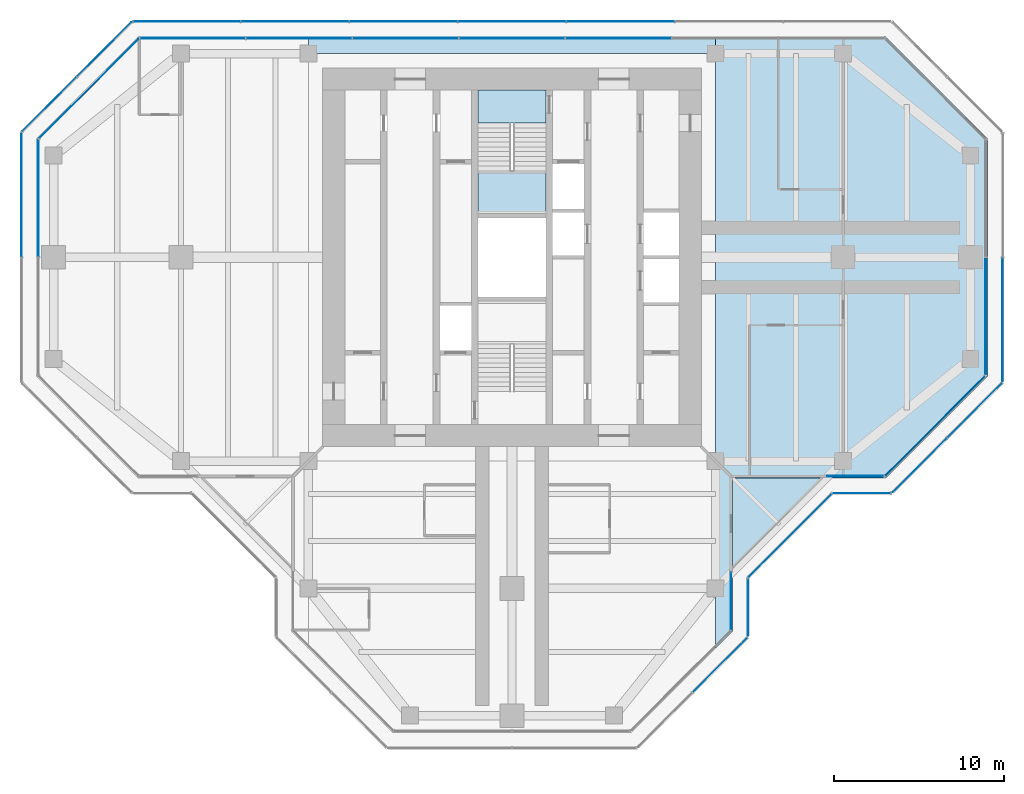
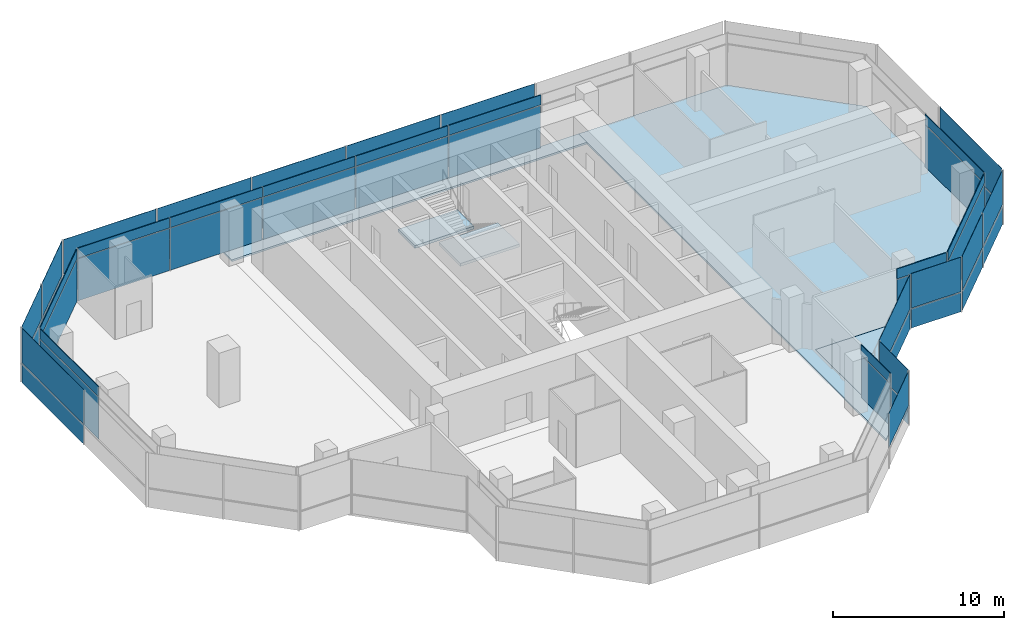
# One storey, part 10 of 15: 51 plates, 5 slabs, 17 elements without a shape of their own.
"""IFC4 building model written with IfcOpenShell, lengths in metres."""

from ifc_helpers import new_model, si_unit, direction, frame, origin, origin_2d, place, context, subcontext, project, spatial, polyline, rectangle, outline, extrude, material, layer, layer_set, type_object, element, aggregate, save


model = new_model("IFC4")

# Units and contexts
model_context = context("Model", 3, precision=1e-05, world=origin(), true_north=direction((0.0, 1.0)))
body_context = subcontext(model_context, "Body", "Model", "MODEL_VIEW")
ifc_project = project(units=[si_unit("LENGTHUNIT", "METRE"), si_unit("AREAUNIT", "SQUARE_METRE"), si_unit("VOLUMEUNIT", "CUBIC_METRE"), si_unit("PLANEANGLEUNIT", "RADIAN"), si_unit("MASSUNIT", "GRAM", prefix="KILO")], contexts=[model_context])

# Site, building, storey
site_placement = place(None, origin())
site = spatial("IfcSite", under=ifc_project, at=site_placement, CompositionType="ELEMENT")
building_placement = place(site_placement, origin())
building = spatial("IfcBuilding", under=site, at=building_placement, Name="Mizan Broadcast Tower", CompositionType="ELEMENT")
storey_placement = place(building_placement, frame((0.0, 0.0, 275.10009765625)))
storey = spatial("IfcBuildingStorey", under=building, at=storey_placement, Name="L65", CompositionType="ELEMENT", Elevation=275.10009765625)

# Slabs
ifc_material_1 = material(Name="Concrete C32/40", Category="concrete")
ifc_layer_1 = layer(ifc_material_1, 0.1298828125)
ifc_layer_set_1 = layer_set([ifc_layer_1], Name="Concrete C32/40")
slab_type_1 = type_object("IfcSlabType", Name="COMPOSITE DECK SLAB 130", PredefinedType="FLOOR", material=ifc_layer_set_1)
slab_1_placement = place(storey_placement, frame((0.0, 0.0, -0.130126953125)))
element("IfcSlab", 1, at=slab_1_placement, inside=storey, type_object=slab_type_1, Name="Floor slab L65 east arm", PredefinedType="FLOOR", context=body_context, shape_type="SweptSolid", body=[
    extrude(outline(polyline([(12.0, -23.0), (13.0, -22.0), (13.0, -13.0), (22.0, -13.0), (28.0, -7.0), (28.0, 7.0), (22.0, 13.0), (13.0, 13.0), (12.0, 13.0), (12.0, -23.0)])), origin(), (0.0, 0.0, 1.0), 0.130126953125),
])
slab_2_placement = place(storey_placement, frame((0.0, 0.0, -0.130126953125)))
element("IfcSlab", 2, at=slab_2_placement, inside=storey, type_object=slab_type_1, Name="Floor slab L65 north arm", PredefinedType="FLOOR", context=body_context, shape_type="SweptSolid", body=[
    extrude(outline(polyline([(12.0, 13.0), (-12.0, 13.0), (-12.0, 12.0), (12.0, 12.0), (12.0, 13.0)])), origin(), (0.0, 0.0, 1.0), 0.130126953125),
])

# Curtain wall, plate
ifc_material_2 = material(Name="Aluminium framed glazing", Category="aluminium")
curtain_wall_type_1 = type_object("IfcCurtainWallType", Name="INNER SKIN TOP ZONE", PredefinedType="USERDEFINED", material=ifc_material_2)
curtain_wall_1_placement = place(storey_placement, origin())
curtain_wall_1 = element("IfcCurtainWall", 3, at=curtain_wall_1_placement, inside=storey, type_object=curtain_wall_type_1, Name="Inner skin top zone L65 E side", ObjectType="INNER SKIN TOP ZONE", PredefinedType="USERDEFINED")
ifc_material_3 = material(Name="Double glazing, clear low-e", Category="glass")
ifc_layer_2 = layer(ifc_material_3, 0.028076171875)
ifc_layer_set_2 = layer_set([ifc_layer_2], Name="Double glazing, clear low-e")
plate_type_1 = type_object("IfcPlateType", Name="INNER SKIN GLAZING UNIT", PredefinedType="CURTAIN_PANEL", material=ifc_layer_set_2)
plate_1_placement = place(storey_placement, frame((20.229248046875, -12.89990234375, 0.0), z_axis=(0.0, 0.0, 1.0), x_axis=(1.0, 0.0, 0.0)))
plate_1 = element("IfcPlate", 4, at=plate_1_placement, type_object=plate_type_1, Name="Inner skin top zone L65 E side panel 1.1", PredefinedType="CURTAIN_PANEL", context=body_context, shape_type="SweptSolid", body=[
    extrude(rectangle(XDim=3.338623046875, YDim=0.028076171875, at=origin_2d()), origin(), (0.0, 0.0, 1.0), 3.0),
])

curtain_wall_2_placement = place(storey_placement, origin())
curtain_wall_2 = element("IfcCurtainWall", 5, at=curtain_wall_2_placement, inside=storey, type_object=curtain_wall_type_1, Name="Inner skin top zone L65 E chamfer", ObjectType="INNER SKIN TOP ZONE", PredefinedType="USERDEFINED")
plate_2_placement = place(storey_placement, frame((24.92919921875, -9.92919921875, 0.0), z_axis=(0.0, 0.0, 1.0), x_axis=(0.707106781187, 0.707106781187, 0.0)))
plate_2 = element("IfcPlate", 6, at=plate_2_placement, type_object=plate_type_1, Name="Inner skin top zone L65 E chamfer panel 1.1", PredefinedType="CURTAIN_PANEL", context=body_context, shape_type="SweptSolid", body=[
    extrude(rectangle(XDim=8.282470703125, YDim=0.028076171875, at=origin_2d()), origin(), (0.0, 0.0, 1.0), 3.0),
])

curtain_wall_3_placement = place(storey_placement, origin())
curtain_wall_3 = element("IfcCurtainWall", 7, at=curtain_wall_3_placement, inside=storey, type_object=curtain_wall_type_1, Name="Inner skin top zone L65 E end", ObjectType="INNER SKIN TOP ZONE", PredefinedType="USERDEFINED")
plate_3_placement = place(storey_placement, frame((27.89990234375, -3.46435546875, 0.0), z_axis=(0.0, 0.0, 1.0), x_axis=(0.0, 1.0, 0.0)))
plate_3 = element("IfcPlate", 8, at=plate_3_placement, type_object=plate_type_1, Name="Inner skin top zone L65 E end panel 1.1", PredefinedType="CURTAIN_PANEL", context=body_context, shape_type="SweptSolid", body=[
    extrude(rectangle(XDim=6.86865234375, YDim=0.028076171875, at=origin_2d()), origin(), (0.0, 0.0, 1.0), 3.0),
])

# Curtain wall, plates
curtain_wall_4_placement = place(storey_placement, origin())
curtain_wall_4 = element("IfcCurtainWall", 9, at=curtain_wall_4_placement, inside=storey, type_object=curtain_wall_type_1, Name="Inner skin top zone L65 N end", ObjectType="INNER SKIN TOP ZONE", PredefinedType="USERDEFINED")
plate_4_placement = place(storey_placement, frame((6.27392578125, 12.89990234375, 0.0), z_axis=(0.0, 0.0, 1.0), x_axis=(-1.0, 0.0, 0.0)))
plate_4 = element("IfcPlate", 10, at=plate_4_placement, type_object=plate_type_1, Name="Inner skin top zone L65 N end panel 3.1", PredefinedType="CURTAIN_PANEL", context=body_context, shape_type="SweptSolid", body=[
    extrude(rectangle(XDim=6.2138671875, YDim=0.028076171875, at=origin_2d()), origin(), (0.0, 0.0, 1.0), 3.0),
])
plate_5_placement = place(storey_placement, frame((0.0, 12.89990234375, 0.0), z_axis=(0.0, 0.0, 1.0), x_axis=(-1.0, 0.0, 0.0)))
plate_5 = element("IfcPlate", 11, at=plate_5_placement, type_object=plate_type_1, Name="Inner skin top zone L65 N end panel 4.1", PredefinedType="CURTAIN_PANEL", context=body_context, shape_type="SweptSolid", body=[
    extrude(rectangle(XDim=6.2138671875, YDim=0.028076171875, at=origin_2d()), origin(), (0.0, 0.0, 1.0), 3.0),
])
plate_6_placement = place(storey_placement, frame((-6.27392578125, 12.89990234375, 0.0), z_axis=(0.0, 0.0, 1.0), x_axis=(-1.0, 0.0, 0.0)))
plate_6 = element("IfcPlate", 12, at=plate_6_placement, type_object=plate_type_1, Name="Inner skin top zone L65 N end panel 5.1", PredefinedType="CURTAIN_PANEL", context=body_context, shape_type="SweptSolid", body=[
    extrude(rectangle(XDim=6.2138671875, YDim=0.028076171875, at=origin_2d()), origin(), (0.0, 0.0, 1.0), 3.0),
])
plate_7_placement = place(storey_placement, frame((-12.5478515625, 12.89990234375, 0.0), z_axis=(0.0, 0.0, 1.0), x_axis=(-1.0, 0.0, 0.0)))
plate_7 = element("IfcPlate", 13, at=plate_7_placement, type_object=plate_type_1, Name="Inner skin top zone L65 N end panel 6.1", PredefinedType="CURTAIN_PANEL", context=body_context, shape_type="SweptSolid", body=[
    extrude(rectangle(XDim=6.2138671875, YDim=0.028076171875, at=origin_2d()), origin(), (0.0, 0.0, 1.0), 3.0),
])
plate_8_placement = place(storey_placement, frame((-18.806640625, 12.89990234375, 0.0), z_axis=(0.0, 0.0, 1.0), x_axis=(-1.0, 0.0, 0.0)))
plate_8 = element("IfcPlate", 14, at=plate_8_placement, type_object=plate_type_1, Name="Inner skin top zone L65 N end panel 7.1", PredefinedType="CURTAIN_PANEL", context=body_context, shape_type="SweptSolid", body=[
    extrude(rectangle(XDim=6.183837890625, YDim=0.028076171875, at=origin_2d()), origin(), (0.0, 0.0, 1.0), 3.0),
])

# Curtain wall, plate
curtain_wall_5_placement = place(storey_placement, origin())
curtain_wall_5 = element("IfcCurtainWall", 15, at=curtain_wall_5_placement, inside=storey, type_object=curtain_wall_type_1, Name="Inner skin top zone L65 W chamfer", ObjectType="INNER SKIN TOP ZONE", PredefinedType="USERDEFINED")
plate_9_placement = place(storey_placement, frame((-24.92919921875, 9.92919921875, 0.0), z_axis=(0.0, 0.0, 1.0), x_axis=(-0.707106781187, -0.707106781187, 0.0)))
plate_9 = element("IfcPlate", 16, at=plate_9_placement, type_object=plate_type_1, Name="Inner skin top zone L65 W chamfer panel 1.1", PredefinedType="CURTAIN_PANEL", context=body_context, shape_type="SweptSolid", body=[
    extrude(rectangle(XDim=8.282470703125, YDim=0.028076171875, at=origin_2d()), origin(), (0.0, 0.0, 1.0), 3.0),
])

curtain_wall_6_placement = place(storey_placement, origin())
curtain_wall_6 = element("IfcCurtainWall", 17, at=curtain_wall_6_placement, inside=storey, type_object=curtain_wall_type_1, Name="Inner skin top zone L65 W end", ObjectType="INNER SKIN TOP ZONE", PredefinedType="USERDEFINED")
plate_10_placement = place(storey_placement, frame((-27.89990234375, 3.46435546875, 0.0), z_axis=(0.0, 0.0, 1.0), x_axis=(0.0, -1.0, 0.0)))
plate_10 = element("IfcPlate", 18, at=plate_10_placement, type_object=plate_type_1, Name="Inner skin top zone L65 W end panel 1.1", PredefinedType="CURTAIN_PANEL", context=body_context, shape_type="SweptSolid", body=[
    extrude(rectangle(XDim=6.86865234375, YDim=0.028076171875, at=origin_2d()), origin(), (0.0, 0.0, 1.0), 3.0),
])

curtain_wall_7_placement = place(storey_placement, origin())
curtain_wall_7 = element("IfcCurtainWall", 19, at=curtain_wall_7_placement, inside=storey, type_object=curtain_wall_type_1, Name="Inner skin top zone L65 S side", ObjectType="INNER SKIN TOP ZONE", PredefinedType="USERDEFINED")
plate_11_placement = place(storey_placement, frame((12.89990234375, -20.229248046875, 0.0), z_axis=(0.0, 0.0, 1.0), x_axis=(0.0, 1.0, 0.0)))
plate_11 = element("IfcPlate", 20, at=plate_11_placement, type_object=plate_type_1, Name="Inner skin top zone L65 S side panel 1.1", PredefinedType="CURTAIN_PANEL", context=body_context, shape_type="SweptSolid", body=[
    extrude(rectangle(XDim=3.338623046875, YDim=0.028076171875, at=origin_2d()), origin(), (0.0, 0.0, 1.0), 3.0),
])

# Plate
ifc_material_4 = material(Name="Insulated aluminium spandrel panel, pale anodised", Category="aluminium")
ifc_layer_3 = layer(ifc_material_4, 0.050048828125)
ifc_layer_set_3 = layer_set([ifc_layer_3], Name="Insulated aluminium spandrel panel, pale anodised")
plate_type_2 = type_object("IfcPlateType", Name="INNER SKIN SPANDREL PANEL", PredefinedType="CURTAIN_PANEL", material=ifc_layer_set_3)
plate_12_placement = place(storey_placement, frame((20.229248046875, -12.89990234375, 3.059814453125), z_axis=(0.0, 0.0, 1.0), x_axis=(1.0, 0.0, 0.0)))
plate_12 = element("IfcPlate", 21, at=plate_12_placement, type_object=plate_type_2, Name="Inner skin top zone L65 E side panel 1.2", PredefinedType="CURTAIN_PANEL", context=body_context, shape_type="SweptSolid", body=[
    extrude(rectangle(XDim=3.338623046875, YDim=0.050048828125, at=origin_2d()), origin(), (0.0, 0.0, 1.0), 0.7099609375),
])

aggregate(curtain_wall_1, [plate_1, plate_12])

plate_13_placement = place(storey_placement, frame((24.92919921875, -9.92919921875, 3.059814453125), z_axis=(0.0, 0.0, 1.0), x_axis=(0.707106781187, 0.707106781187, 0.0)))
plate_13 = element("IfcPlate", 22, at=plate_13_placement, type_object=plate_type_2, Name="Inner skin top zone L65 E chamfer panel 1.2", PredefinedType="CURTAIN_PANEL", context=body_context, shape_type="SweptSolid", body=[
    extrude(rectangle(XDim=8.282470703125, YDim=0.050048828125, at=origin_2d()), origin(), (0.0, 0.0, 1.0), 0.7099609375),
])

aggregate(curtain_wall_2, [plate_2, plate_13])

plate_14_placement = place(storey_placement, frame((27.89990234375, -3.46435546875, 3.059814453125), z_axis=(0.0, 0.0, 1.0), x_axis=(0.0, 1.0, 0.0)))
plate_14 = element("IfcPlate", 23, at=plate_14_placement, type_object=plate_type_2, Name="Inner skin top zone L65 E end panel 1.2", PredefinedType="CURTAIN_PANEL", context=body_context, shape_type="SweptSolid", body=[
    extrude(rectangle(XDim=6.86865234375, YDim=0.050048828125, at=origin_2d()), origin(), (0.0, 0.0, 1.0), 0.7099609375),
])

aggregate(curtain_wall_3, [plate_3, plate_14])

plate_15_placement = place(storey_placement, frame((6.27392578125, 12.89990234375, 3.059814453125), z_axis=(0.0, 0.0, 1.0), x_axis=(-1.0, 0.0, 0.0)))
plate_15 = element("IfcPlate", 24, at=plate_15_placement, type_object=plate_type_2, Name="Inner skin top zone L65 N end panel 3.2", PredefinedType="CURTAIN_PANEL", context=body_context, shape_type="SweptSolid", body=[
    extrude(rectangle(XDim=6.2138671875, YDim=0.050048828125, at=origin_2d()), origin(), (0.0, 0.0, 1.0), 0.7099609375),
])

plate_16_placement = place(storey_placement, frame((0.0, 12.89990234375, 3.059814453125), z_axis=(0.0, 0.0, 1.0), x_axis=(-1.0, 0.0, 0.0)))
plate_16 = element("IfcPlate", 25, at=plate_16_placement, type_object=plate_type_2, Name="Inner skin top zone L65 N end panel 4.2", PredefinedType="CURTAIN_PANEL", context=body_context, shape_type="SweptSolid", body=[
    extrude(rectangle(XDim=6.2138671875, YDim=0.050048828125, at=origin_2d()), origin(), (0.0, 0.0, 1.0), 0.7099609375),
])

plate_17_placement = place(storey_placement, frame((-6.27392578125, 12.89990234375, 3.059814453125), z_axis=(0.0, 0.0, 1.0), x_axis=(-1.0, 0.0, 0.0)))
plate_17 = element("IfcPlate", 26, at=plate_17_placement, type_object=plate_type_2, Name="Inner skin top zone L65 N end panel 5.2", PredefinedType="CURTAIN_PANEL", context=body_context, shape_type="SweptSolid", body=[
    extrude(rectangle(XDim=6.2138671875, YDim=0.050048828125, at=origin_2d()), origin(), (0.0, 0.0, 1.0), 0.7099609375),
])

plate_18_placement = place(storey_placement, frame((-12.5478515625, 12.89990234375, 3.059814453125), z_axis=(0.0, 0.0, 1.0), x_axis=(-1.0, 0.0, 0.0)))
plate_18 = element("IfcPlate", 27, at=plate_18_placement, type_object=plate_type_2, Name="Inner skin top zone L65 N end panel 6.2", PredefinedType="CURTAIN_PANEL", context=body_context, shape_type="SweptSolid", body=[
    extrude(rectangle(XDim=6.2138671875, YDim=0.050048828125, at=origin_2d()), origin(), (0.0, 0.0, 1.0), 0.7099609375),
])

plate_19_placement = place(storey_placement, frame((-18.806640625, 12.89990234375, 3.059814453125), z_axis=(0.0, 0.0, 1.0), x_axis=(-1.0, 0.0, 0.0)))
plate_19 = element("IfcPlate", 28, at=plate_19_placement, type_object=plate_type_2, Name="Inner skin top zone L65 N end panel 7.2", PredefinedType="CURTAIN_PANEL", context=body_context, shape_type="SweptSolid", body=[
    extrude(rectangle(XDim=6.183837890625, YDim=0.050048828125, at=origin_2d()), origin(), (0.0, 0.0, 1.0), 0.7099609375),
])

aggregate(curtain_wall_4, [plate_4, plate_15, plate_5, plate_16, plate_6, plate_17, plate_7, plate_18, plate_8, plate_19])

plate_20_placement = place(storey_placement, frame((-24.92919921875, 9.92919921875, 3.059814453125), z_axis=(0.0, 0.0, 1.0), x_axis=(-0.707106781187, -0.707106781187, 0.0)))
plate_20 = element("IfcPlate", 29, at=plate_20_placement, type_object=plate_type_2, Name="Inner skin top zone L65 W chamfer panel 1.2", PredefinedType="CURTAIN_PANEL", context=body_context, shape_type="SweptSolid", body=[
    extrude(rectangle(XDim=8.282470703125, YDim=0.050048828125, at=origin_2d()), origin(), (0.0, 0.0, 1.0), 0.7099609375),
])

aggregate(curtain_wall_5, [plate_9, plate_20])

plate_21_placement = place(storey_placement, frame((-27.89990234375, 3.46435546875, 3.059814453125), z_axis=(0.0, 0.0, 1.0), x_axis=(0.0, -1.0, 0.0)))
plate_21 = element("IfcPlate", 30, at=plate_21_placement, type_object=plate_type_2, Name="Inner skin top zone L65 W end panel 1.2", PredefinedType="CURTAIN_PANEL", context=body_context, shape_type="SweptSolid", body=[
    extrude(rectangle(XDim=6.86865234375, YDim=0.050048828125, at=origin_2d()), origin(), (0.0, 0.0, 1.0), 0.7099609375),
])

aggregate(curtain_wall_6, [plate_10, plate_21])

plate_22_placement = place(storey_placement, frame((12.89990234375, -20.229248046875, 3.059814453125), z_axis=(0.0, 0.0, 1.0), x_axis=(0.0, 1.0, 0.0)))
plate_22 = element("IfcPlate", 31, at=plate_22_placement, type_object=plate_type_2, Name="Inner skin top zone L65 S side panel 1.2", PredefinedType="CURTAIN_PANEL", context=body_context, shape_type="SweptSolid", body=[
    extrude(rectangle(XDim=3.338623046875, YDim=0.050048828125, at=origin_2d()), origin(), (0.0, 0.0, 1.0), 0.7099609375),
])

aggregate(curtain_wall_7, [plate_11, plate_22])

# Curtain wall, plates
ifc_material_5 = material(Name="Aluminium framed glazing", Category="aluminium")
curtain_wall_type_2 = type_object("IfcCurtainWallType", Name="OUTER SKIN", PredefinedType="USERDEFINED", material=ifc_material_5)
curtain_wall_8_placement = place(storey_placement, origin())
curtain_wall_8 = element("IfcCurtainWall", 32, at=curtain_wall_8_placement, inside=storey, type_object=curtain_wall_type_2, Name="Outer skin L65 S side", ObjectType="OUTER SKIN", PredefinedType="USERDEFINED")
ifc_material_6 = material(Name="Laminated clear glass", Category="glass")
ifc_layer_4 = layer(ifc_material_6, 0.02001953125)
ifc_layer_set_4 = layer_set([ifc_layer_4], Name="Laminated clear glass")
plate_type_3 = type_object("IfcPlateType", Name="OUTER SKIN CLEAR GLASS", PredefinedType="CURTAIN_PANEL", material=ifc_layer_set_4)
plate_23_placement = place(storey_placement, frame((13.89990234375, -20.622802734375, -0.000244140625), z_axis=(0.0, 0.0, 1.0), x_axis=(0.0, 1.0, 0.0)))
plate_23 = element("IfcPlate", 33, at=plate_23_placement, type_object=plate_type_3, Name="Outer skin L65 S side panel 1.1", PredefinedType="CURTAIN_PANEL", context=body_context, shape_type="SweptSolid", body=[
    extrude(rectangle(XDim=3.340087890625, YDim=0.02001953125, at=origin_2d()), origin(), (0.0, 0.0, 1.0), 1.3701171875),
])
plate_24_placement = place(storey_placement, frame((13.89990234375, -20.622802734375, 1.4296875), z_axis=(0.0, 0.0, 1.0), x_axis=(0.0, 1.0, 0.0)))
plate_24 = element("IfcPlate", 34, at=plate_24_placement, type_object=plate_type_3, Name="Outer skin L65 S side panel 1.2", PredefinedType="CURTAIN_PANEL", context=body_context, shape_type="SweptSolid", body=[
    extrude(rectangle(XDim=3.340087890625, YDim=0.02001953125, at=origin_2d()), origin(), (0.0, 0.0, 1.0), 2.469970703125),
])
aggregate(curtain_wall_8, [plate_23, plate_24])

curtain_wall_9_placement = place(storey_placement, origin())
curtain_wall_9 = element("IfcCurtainWall", 35, at=curtain_wall_9_placement, inside=storey, type_object=curtain_wall_type_2, Name="Outer skin L65 E chamfer", ObjectType="OUTER SKIN", PredefinedType="USERDEFINED")
plate_25_placement = place(storey_placement, frame((16.386474609375, -16.386474609375, -0.000244140625), z_axis=(0.0, 0.0, 1.0), x_axis=(0.707106781187, 0.707106781187, 0.0)))
plate_25 = element("IfcPlate", 36, at=plate_25_placement, type_object=plate_type_3, Name="Outer skin L65 E chamfer panel 1.1", PredefinedType="CURTAIN_PANEL", context=body_context, shape_type="SweptSolid", body=[
    extrude(rectangle(XDim=6.87255859375, YDim=0.02001953125, at=origin_2d()), origin(), (0.0, 0.0, 1.0), 1.3701171875),
])
plate_26_placement = place(storey_placement, frame((16.386474609375, -16.386474609375, 1.4296875), z_axis=(0.0, 0.0, 1.0), x_axis=(0.707106781187, 0.707106781187, 0.0)))
plate_26 = element("IfcPlate", 37, at=plate_26_placement, type_object=plate_type_3, Name="Outer skin L65 E chamfer panel 1.2", PredefinedType="CURTAIN_PANEL", context=body_context, shape_type="SweptSolid", body=[
    extrude(rectangle(XDim=6.87255859375, YDim=0.02001953125, at=origin_2d()), origin(), (0.0, 0.0, 1.0), 2.469970703125),
])
aggregate(curtain_wall_9, [plate_25, plate_26])

curtain_wall_10_placement = place(storey_placement, origin())
curtain_wall_10 = element("IfcCurtainWall", 38, at=curtain_wall_10_placement, inside=storey, type_object=curtain_wall_type_2, Name="Outer skin L65 E side", ObjectType="OUTER SKIN", PredefinedType="USERDEFINED")
plate_27_placement = place(storey_placement, frame((20.622802734375, -13.89990234375, -0.000244140625), z_axis=(0.0, 0.0, 1.0), x_axis=(1.0, 0.0, 0.0)))
plate_27 = element("IfcPlate", 39, at=plate_27_placement, type_object=plate_type_3, Name="Outer skin L65 E side panel 1.1", PredefinedType="CURTAIN_PANEL", context=body_context, shape_type="SweptSolid", body=[
    extrude(rectangle(XDim=3.340087890625, YDim=0.02001953125, at=origin_2d()), origin(), (0.0, 0.0, 1.0), 1.3701171875),
])
plate_28_placement = place(storey_placement, frame((20.622802734375, -13.89990234375, 1.4296875), z_axis=(0.0, 0.0, 1.0), x_axis=(1.0, 0.0, 0.0)))
plate_28 = element("IfcPlate", 40, at=plate_28_placement, type_object=plate_type_3, Name="Outer skin L65 E side panel 1.2", PredefinedType="CURTAIN_PANEL", context=body_context, shape_type="SweptSolid", body=[
    extrude(rectangle(XDim=3.340087890625, YDim=0.02001953125, at=origin_2d()), origin(), (0.0, 0.0, 1.0), 2.469970703125),
])
aggregate(curtain_wall_10, [plate_27, plate_28])

curtain_wall_11_placement = place(storey_placement, origin())
curtain_wall_11 = element("IfcCurtainWall", 41, at=curtain_wall_11_placement, inside=storey, type_object=curtain_wall_type_2, Name="Outer skin L65 E chamfer", ObjectType="OUTER SKIN", PredefinedType="USERDEFINED")
plate_29_placement = place(storey_placement, frame((24.018798828125, -12.254150390625, -0.000244140625), z_axis=(0.0, 0.0, 1.0), x_axis=(0.707106781187, 0.707106781187, 0.0)))
plate_29 = element("IfcPlate", 42, at=plate_29_placement, type_object=plate_type_3, Name="Outer skin L65 E chamfer panel 1.1", PredefinedType="CURTAIN_PANEL", context=body_context, shape_type="SweptSolid", body=[
    extrude(rectangle(XDim=4.495361328125, YDim=0.02001953125, at=origin_2d()), origin(), (0.0, 0.0, 1.0), 1.3701171875),
])
plate_30_placement = place(storey_placement, frame((24.018798828125, -12.254150390625, 1.4296875), z_axis=(0.0, 0.0, 1.0), x_axis=(0.707106781187, 0.707106781187, 0.0)))
plate_30 = element("IfcPlate", 43, at=plate_30_placement, type_object=plate_type_3, Name="Outer skin L65 E chamfer panel 1.2", PredefinedType="CURTAIN_PANEL", context=body_context, shape_type="SweptSolid", body=[
    extrude(rectangle(XDim=4.495361328125, YDim=0.02001953125, at=origin_2d()), origin(), (0.0, 0.0, 1.0), 2.469970703125),
])

curtain_wall_12_placement = place(storey_placement, origin())
curtain_wall_12 = element("IfcCurtainWall", 44, at=curtain_wall_12_placement, inside=storey, type_object=curtain_wall_type_2, Name="Outer skin L65 E end", ObjectType="OUTER SKIN", PredefinedType="USERDEFINED")
plate_31_placement = place(storey_placement, frame((28.89990234375, -3.66650390625, -0.000244140625), z_axis=(0.0, 0.0, 1.0), x_axis=(0.0, 1.0, 0.0)))
plate_31 = element("IfcPlate", 45, at=plate_31_placement, type_object=plate_type_3, Name="Outer skin L65 E end panel 1.1", PredefinedType="CURTAIN_PANEL", context=body_context, shape_type="SweptSolid", body=[
    extrude(rectangle(XDim=7.252685546875, YDim=0.02001953125, at=origin_2d()), origin(), (0.0, 0.0, 1.0), 1.3701171875),
])
plate_32_placement = place(storey_placement, frame((28.89990234375, -3.66650390625, 1.4296875), z_axis=(0.0, 0.0, 1.0), x_axis=(0.0, 1.0, 0.0)))
plate_32 = element("IfcPlate", 46, at=plate_32_placement, type_object=plate_type_3, Name="Outer skin L65 E end panel 1.2", PredefinedType="CURTAIN_PANEL", context=body_context, shape_type="SweptSolid", body=[
    extrude(rectangle(XDim=7.252685546875, YDim=0.02001953125, at=origin_2d()), origin(), (0.0, 0.0, 1.0), 2.469970703125),
])
aggregate(curtain_wall_12, [plate_31, plate_32])

curtain_wall_13_placement = place(storey_placement, origin())
curtain_wall_13 = element("IfcCurtainWall", 47, at=curtain_wall_13_placement, inside=storey, type_object=curtain_wall_type_2, Name="Outer skin L65 N end", ObjectType="OUTER SKIN", PredefinedType="USERDEFINED")
plate_33_placement = place(storey_placement, frame((6.392333984375, 13.89990234375, -0.000244140625), z_axis=(0.0, 0.0, 1.0), x_axis=(-1.0, 0.0, 0.0)))
plate_33 = element("IfcPlate", 48, at=plate_33_placement, type_object=plate_type_3, Name="Outer skin L65 N end panel 3.1", PredefinedType="CURTAIN_PANEL", context=body_context, shape_type="SweptSolid", body=[
    extrude(rectangle(XDim=6.312255859375, YDim=0.02001953125, at=origin_2d()), origin(), (0.0, 0.0, 1.0), 1.3701171875),
])
plate_34_placement = place(storey_placement, frame((6.392333984375, 13.89990234375, 1.4296875), z_axis=(0.0, 0.0, 1.0), x_axis=(-1.0, 0.0, 0.0)))
plate_34 = element("IfcPlate", 49, at=plate_34_placement, type_object=plate_type_3, Name="Outer skin L65 N end panel 3.2", PredefinedType="CURTAIN_PANEL", context=body_context, shape_type="SweptSolid", body=[
    extrude(rectangle(XDim=6.312255859375, YDim=0.02001953125, at=origin_2d()), origin(), (0.0, 0.0, 1.0), 2.469970703125),
])
plate_35_placement = place(storey_placement, frame((0.0, 13.89990234375, -0.000244140625), z_axis=(0.0, 0.0, 1.0), x_axis=(-1.0, 0.0, 0.0)))
plate_35 = element("IfcPlate", 50, at=plate_35_placement, type_object=plate_type_3, Name="Outer skin L65 N end panel 4.1", PredefinedType="CURTAIN_PANEL", context=body_context, shape_type="SweptSolid", body=[
    extrude(rectangle(XDim=6.312255859375, YDim=0.02001953125, at=origin_2d()), origin(), (0.0, 0.0, 1.0), 1.3701171875),
])
plate_36_placement = place(storey_placement, frame((0.0, 13.89990234375, 1.4296875), z_axis=(0.0, 0.0, 1.0), x_axis=(-1.0, 0.0, 0.0)))
plate_36 = element("IfcPlate", 51, at=plate_36_placement, type_object=plate_type_3, Name="Outer skin L65 N end panel 4.2", PredefinedType="CURTAIN_PANEL", context=body_context, shape_type="SweptSolid", body=[
    extrude(rectangle(XDim=6.312255859375, YDim=0.02001953125, at=origin_2d()), origin(), (0.0, 0.0, 1.0), 2.469970703125),
])
plate_37_placement = place(storey_placement, frame((-6.392333984375, 13.89990234375, -0.000244140625), z_axis=(0.0, 0.0, 1.0), x_axis=(-1.0, 0.0, 0.0)))
plate_37 = element("IfcPlate", 52, at=plate_37_placement, type_object=plate_type_3, Name="Outer skin L65 N end panel 5.1", PredefinedType="CURTAIN_PANEL", context=body_context, shape_type="SweptSolid", body=[
    extrude(rectangle(XDim=6.312255859375, YDim=0.02001953125, at=origin_2d()), origin(), (0.0, 0.0, 1.0), 1.3701171875),
])
plate_38_placement = place(storey_placement, frame((-6.392333984375, 13.89990234375, 1.4296875), z_axis=(0.0, 0.0, 1.0), x_axis=(-1.0, 0.0, 0.0)))
plate_38 = element("IfcPlate", 53, at=plate_38_placement, type_object=plate_type_3, Name="Outer skin L65 N end panel 5.2", PredefinedType="CURTAIN_PANEL", context=body_context, shape_type="SweptSolid", body=[
    extrude(rectangle(XDim=6.312255859375, YDim=0.02001953125, at=origin_2d()), origin(), (0.0, 0.0, 1.0), 2.469970703125),
])
plate_39_placement = place(storey_placement, frame((-12.784423828125, 13.89990234375, -0.000244140625), z_axis=(0.0, 0.0, 1.0), x_axis=(-1.0, 0.0, 0.0)))
plate_39 = element("IfcPlate", 54, at=plate_39_placement, type_object=plate_type_3, Name="Outer skin L65 N end panel 6.1", PredefinedType="CURTAIN_PANEL", context=body_context, shape_type="SweptSolid", body=[
    extrude(rectangle(XDim=6.312255859375, YDim=0.02001953125, at=origin_2d()), origin(), (0.0, 0.0, 1.0), 1.3701171875),
])
plate_40_placement = place(storey_placement, frame((-12.784423828125, 13.89990234375, 1.4296875), z_axis=(0.0, 0.0, 1.0), x_axis=(-1.0, 0.0, 0.0)))
plate_40 = element("IfcPlate", 55, at=plate_40_placement, type_object=plate_type_3, Name="Outer skin L65 N end panel 6.2", PredefinedType="CURTAIN_PANEL", context=body_context, shape_type="SweptSolid", body=[
    extrude(rectangle(XDim=6.312255859375, YDim=0.02001953125, at=origin_2d()), origin(), (0.0, 0.0, 1.0), 2.469970703125),
])
plate_41_placement = place(storey_placement, frame((-19.15673828125, 13.89990234375, -0.000244140625), z_axis=(0.0, 0.0, 1.0), x_axis=(-1.0, 0.0, 0.0)))
plate_41 = element("IfcPlate", 56, at=plate_41_placement, type_object=plate_type_3, Name="Outer skin L65 N end panel 7.1", PredefinedType="CURTAIN_PANEL", context=body_context, shape_type="SweptSolid", body=[
    extrude(rectangle(XDim=6.272216796875, YDim=0.02001953125, at=origin_2d()), origin(), (0.0, 0.0, 1.0), 1.3701171875),
])
plate_42_placement = place(storey_placement, frame((-19.15673828125, 13.89990234375, 1.4296875), z_axis=(0.0, 0.0, 1.0), x_axis=(-1.0, 0.0, 0.0)))
plate_42 = element("IfcPlate", 57, at=plate_42_placement, type_object=plate_type_3, Name="Outer skin L65 N end panel 7.2", PredefinedType="CURTAIN_PANEL", context=body_context, shape_type="SweptSolid", body=[
    extrude(rectangle(XDim=6.272216796875, YDim=0.02001953125, at=origin_2d()), origin(), (0.0, 0.0, 1.0), 2.469970703125),
])
aggregate(curtain_wall_13, [plate_33, plate_34, plate_35, plate_36, plate_37, plate_38, plate_39, plate_40, plate_41, plate_42])

curtain_wall_14_placement = place(storey_placement, origin())
curtain_wall_14 = element("IfcCurtainWall", 58, at=curtain_wall_14_placement, inside=storey, type_object=curtain_wall_type_2, Name="Outer skin L65 W chamfer", ObjectType="OUTER SKIN", PredefinedType="USERDEFINED")
plate_43_placement = place(storey_placement, frame((-24.018798828125, 12.254150390625, -0.000244140625), z_axis=(0.0, 0.0, 1.0), x_axis=(-0.707106781187, -0.707106781187, 0.0)))
plate_43 = element("IfcPlate", 59, at=plate_43_placement, type_object=plate_type_3, Name="Outer skin L65 W chamfer panel 1.1", PredefinedType="CURTAIN_PANEL", context=body_context, shape_type="SweptSolid", body=[
    extrude(rectangle(XDim=4.495361328125, YDim=0.02001953125, at=origin_2d()), origin(), (0.0, 0.0, 1.0), 1.3701171875),
])
plate_44_placement = place(storey_placement, frame((-24.018798828125, 12.254150390625, 1.4296875), z_axis=(0.0, 0.0, 1.0), x_axis=(-0.707106781187, -0.707106781187, 0.0)))
plate_44 = element("IfcPlate", 60, at=plate_44_placement, type_object=plate_type_3, Name="Outer skin L65 W chamfer panel 1.2", PredefinedType="CURTAIN_PANEL", context=body_context, shape_type="SweptSolid", body=[
    extrude(rectangle(XDim=4.495361328125, YDim=0.02001953125, at=origin_2d()), origin(), (0.0, 0.0, 1.0), 2.469970703125),
])

curtain_wall_15_placement = place(storey_placement, origin())
curtain_wall_15 = element("IfcCurtainWall", 61, at=curtain_wall_15_placement, inside=storey, type_object=curtain_wall_type_2, Name="Outer skin L65 W end", ObjectType="OUTER SKIN", PredefinedType="USERDEFINED")
plate_45_placement = place(storey_placement, frame((-28.89990234375, 3.66650390625, -0.000244140625), z_axis=(0.0, 0.0, 1.0), x_axis=(0.0, -1.0, 0.0)))
plate_45 = element("IfcPlate", 62, at=plate_45_placement, type_object=plate_type_3, Name="Outer skin L65 W end panel 1.1", PredefinedType="CURTAIN_PANEL", context=body_context, shape_type="SweptSolid", body=[
    extrude(rectangle(XDim=7.252685546875, YDim=0.02001953125, at=origin_2d()), origin(), (0.0, 0.0, 1.0), 1.3701171875),
])
plate_46_placement = place(storey_placement, frame((-28.89990234375, 3.66650390625, 1.4296875), z_axis=(0.0, 0.0, 1.0), x_axis=(0.0, -1.0, 0.0)))
plate_46 = element("IfcPlate", 63, at=plate_46_placement, type_object=plate_type_3, Name="Outer skin L65 W end panel 1.2", PredefinedType="CURTAIN_PANEL", context=body_context, shape_type="SweptSolid", body=[
    extrude(rectangle(XDim=7.252685546875, YDim=0.02001953125, at=origin_2d()), origin(), (0.0, 0.0, 1.0), 2.469970703125),
])
aggregate(curtain_wall_15, [plate_45, plate_46])

# Curtain wall, plate
curtain_wall_16_placement = place(storey_placement, origin())
curtain_wall_16 = element("IfcCurtainWall", 64, at=curtain_wall_16_placement, inside=storey, type_object=curtain_wall_type_2, Name="Outer skin L65 S chamfer", ObjectType="OUTER SKIN", PredefinedType="USERDEFINED")
ifc_material_7 = material(Name="Perforated aluminium, pale anodised", Category="aluminium")
ifc_layer_5 = layer(ifc_material_7, 0.011962890625)
ifc_layer_set_5 = layer_set([ifc_layer_5], Name="Perforated aluminium, pale anodised")
plate_type_4 = type_object("IfcPlateType", Name="OUTER SKIN PERFORATED SCREEN", PredefinedType="USERDEFINED", material=ifc_layer_set_5)
plate_47_placement = place(storey_placement, frame((12.254150390625, -24.018798828125, 1.4296875), z_axis=(0.0, 0.0, 1.0), x_axis=(0.707106781187, 0.707106781187, 0.0)))
plate_47 = element("IfcPlate", 65, at=plate_47_placement, type_object=plate_type_4, Name="Outer skin L65 S chamfer panel 2.2", ObjectType="SCREEN", PredefinedType="USERDEFINED", context=body_context, shape_type="SweptSolid", body=[
    extrude(rectangle(XDim=4.495361328125, YDim=0.011962890625, at=origin_2d()), origin(), (0.0, 0.0, 1.0), 2.469970703125),
])
aggregate(curtain_wall_16, [plate_47])

# Plate
plate_48_placement = place(storey_placement, frame((27.254150390625, -9.018798828125, -0.000244140625), z_axis=(0.0, 0.0, 1.0), x_axis=(0.707106781187, 0.707106781187, 0.0)))
plate_48 = element("IfcPlate", 66, at=plate_48_placement, type_object=plate_type_4, Name="Outer skin L65 E chamfer panel 2.1", ObjectType="SCREEN", PredefinedType="USERDEFINED", context=body_context, shape_type="SweptSolid", body=[
    extrude(rectangle(XDim=4.495361328125, YDim=0.011962890625, at=origin_2d()), origin(), (0.0, 0.0, 1.0), 1.3701171875),
])

plate_49_placement = place(storey_placement, frame((27.254150390625, -9.018798828125, 1.4296875), z_axis=(0.0, 0.0, 1.0), x_axis=(0.707106781187, 0.707106781187, 0.0)))
plate_49 = element("IfcPlate", 67, at=plate_49_placement, type_object=plate_type_4, Name="Outer skin L65 E chamfer panel 2.2", ObjectType="SCREEN", PredefinedType="USERDEFINED", context=body_context, shape_type="SweptSolid", body=[
    extrude(rectangle(XDim=4.495361328125, YDim=0.011962890625, at=origin_2d()), origin(), (0.0, 0.0, 1.0), 2.469970703125),
])

aggregate(curtain_wall_11, [plate_29, plate_30, plate_48, plate_49])

plate_50_placement = place(storey_placement, frame((-27.254150390625, 9.018798828125, -0.000244140625), z_axis=(0.0, 0.0, 1.0), x_axis=(-0.707106781187, -0.707106781187, 0.0)))
plate_50 = element("IfcPlate", 68, at=plate_50_placement, type_object=plate_type_4, Name="Outer skin L65 W chamfer panel 2.1", ObjectType="SCREEN", PredefinedType="USERDEFINED", context=body_context, shape_type="SweptSolid", body=[
    extrude(rectangle(XDim=4.495361328125, YDim=0.011962890625, at=origin_2d()), origin(), (0.0, 0.0, 1.0), 1.3701171875),
])

plate_51_placement = place(storey_placement, frame((-27.254150390625, 9.018798828125, 1.4296875), z_axis=(0.0, 0.0, 1.0), x_axis=(-0.707106781187, -0.707106781187, 0.0)))
plate_51 = element("IfcPlate", 69, at=plate_51_placement, type_object=plate_type_4, Name="Outer skin L65 W chamfer panel 2.2", ObjectType="SCREEN", PredefinedType="USERDEFINED", context=body_context, shape_type="SweptSolid", body=[
    extrude(rectangle(XDim=4.495361328125, YDim=0.011962890625, at=origin_2d()), origin(), (0.0, 0.0, 1.0), 2.469970703125),
])

aggregate(curtain_wall_14, [plate_43, plate_44, plate_50, plate_51])

# Stair, slabs
ifc_material_8 = material(Name="Concrete C40/50", Category="concrete")
stair_type = type_object("IfcStairType", Name="EXIT STAIR", PredefinedType="HALF_TURN_STAIR", material=ifc_material_8)
stair_placement = place(storey_placement, origin())
stair = element("IfcStair", 70, at=stair_placement, inside=storey, type_object=stair_type, Name="Stair B L65", PredefinedType="HALF_TURN_STAIR")
ifc_material_9 = material(Name="Concrete C40/50", Category="concrete")
ifc_layer_6 = layer(ifc_material_9, 0.199951171875)
ifc_layer_set_6 = layer_set([ifc_layer_6], Name="Concrete C40/50")
slab_type_2 = type_object("IfcSlabType", Name="STAIR LANDING 200", PredefinedType="LANDING", material=ifc_layer_set_6)
slab_3_placement = place(storey_placement, frame((0.0, 0.0, -0.2001953125)))
slab_3 = element("IfcSlab", 71, at=slab_3_placement, type_object=slab_type_2, Name="B landing 1", PredefinedType="LANDING", context=body_context, shape_type="SweptSolid", body=[
    extrude(outline(polyline([(2.0, 9.85009765625), (2.0, 7.89990234375), (-2.0, 7.89990234375), (-2.0, 9.85009765625), (2.0, 9.85009765625)])), origin(), (0.0, 0.0, 1.0), 0.2001953125),
])
slab_4_placement = place(storey_placement, frame((0.0, 0.0, 1.75)))
slab_4 = element("IfcSlab", 72, at=slab_4_placement, type_object=slab_type_2, Name="B landing 2", PredefinedType="LANDING", context=body_context, shape_type="SweptSolid", body=[
    extrude(outline(polyline([(2.0, 5.10009765625), (2.0, 2.574951171875), (-2.0, 2.574951171875), (-2.0, 5.10009765625), (2.0, 5.10009765625)])), origin(), (0.0, 0.0, 1.0), 0.199951171875),
])
aggregate(stair, [slab_3, slab_4])

# Slab
ifc_material_10 = material(Name="Concrete C32/40", Category="concrete")
ifc_layer_7 = layer(ifc_material_10, 0.1298828125)
ifc_layer_set_7 = layer_set([ifc_layer_7], Name="Concrete C32/40")
slab_type_3 = type_object("IfcSlabType", Name="WINTER GARDEN SLAB 130", PredefinedType="FLOOR", material=ifc_layer_set_7)
slab_5_placement = place(storey_placement, frame((0.0, 0.0, -0.130126953125)))
element("IfcSlab", 73, at=slab_5_placement, inside=storey, type_object=slab_type_3, Name="Winter garden slab L65 S", PredefinedType="FLOOR", context=body_context, shape_type="SweptSolid", body=[
    extrude(outline(polyline([(13.0, -13.0), (13.0, -18.5), (18.5, -13.0), (13.0, -13.0)])), origin(), (0.0, 0.0, 1.0), 0.130126953125),
])

save(model, "model.ifc")
